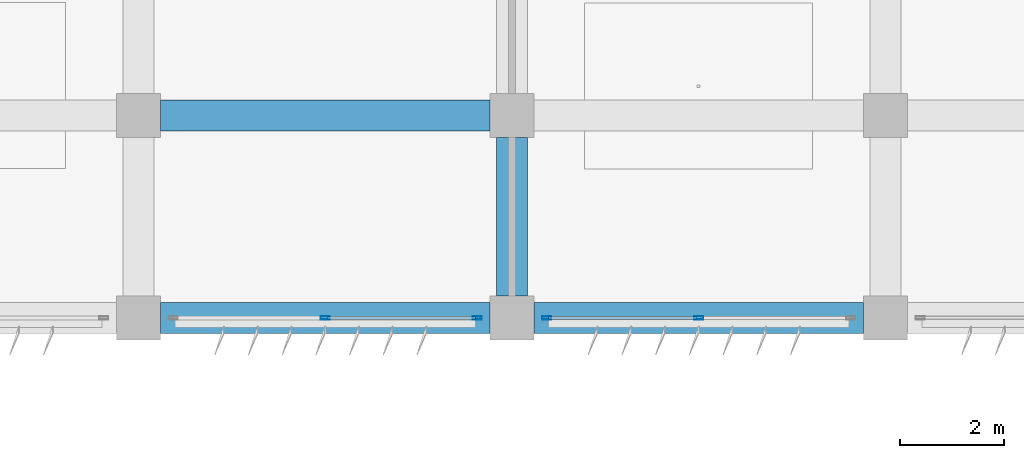
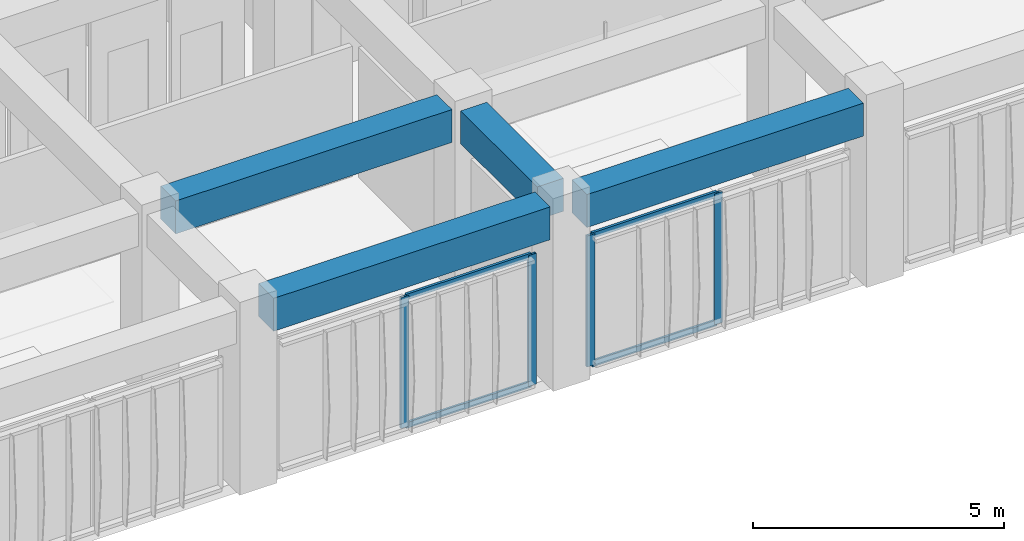
# One storey, part 13 of 55: 8 members, 4 beams, 2 elements without a shape of their own.
"""IFC4 building model written with IfcOpenShell, lengths in metres."""

from ifc_helpers import new_model, si_unit, direction, frame, origin, origin_2d, place, context, subcontext, project, spatial, rectangle, hollow_rectangle, extrude, material, material_profile, profile_set, type_object, element, aggregate, save


model = new_model("IFC4")

# Units and contexts
model_context = context("Model", 3, precision=1e-05, world=origin(), true_north=direction((0.0, 1.0)))
body_context = subcontext(model_context, "Body", "Model", "MODEL_VIEW")
ifc_project = project(units=[si_unit("LENGTHUNIT", "METRE"), si_unit("AREAUNIT", "SQUARE_METRE"), si_unit("VOLUMEUNIT", "CUBIC_METRE"), si_unit("PLANEANGLEUNIT", "RADIAN"), si_unit("MASSUNIT", "GRAM", prefix="KILO")], contexts=[model_context])

# Site, building, storey
site_placement = place(None, origin())
site = spatial("IfcSite", under=ifc_project, at=site_placement, CompositionType="ELEMENT")
building_placement = place(site_placement, origin())
building = spatial("IfcBuilding", under=site, at=building_placement, Name="Kazehaya Institute of Natural Sciences", CompositionType="ELEMENT")
storey_placement = place(building_placement, frame((0.0, 0.0, 15.1201171875)))
storey = spatial("IfcBuildingStorey", under=building, at=storey_placement, Name="L03", CompositionType="ELEMENT", Elevation=15.1201171875)

# Beams
ifc_material_1 = material(Name="Concrete Fc36", Category="concrete")
ifc_material_profile_1 = material_profile(ifc_material_1, rectangle(XDim=0.60009765625, YDim=0.800048828125, at=origin_2d()), Name="RC-600x800")
ifc_profile_set_1 = profile_set([ifc_material_profile_1], Name="Concrete Fc36")
beam_type = type_object("IfcBeamType", Name="BM-G-600x800", PredefinedType="BEAM", material=ifc_profile_set_1)
for number, where, z_axis, x_axis, name in (
    (1, (83.824951171875, 10.10009765625, 4.009765625), (1.0, 0.0, 0.0), (0.0, 1.0, 0.0), "L03 primary X girder BMX-L03-834-101"),
    (2, (91.02490234375, 10.10009765625, 4.009765625), (1.0, 0.0, 0.0), (0.0, 1.0, 0.0), "L03 primary X girder BMX-L03-906-101"),
    (3, (83.824951171875, 14.0, 4.009765625), (1.0, 0.0, 0.0), (0.0, 1.0, 0.0), "L03 primary X girder BMX-L03-834-140"),
):
    element("IfcBeam", number, at=place(storey_placement, frame(where, z_axis=z_axis, x_axis=x_axis)), inside=storey, type_object=beam_type, Name=name, PredefinedType="BEAM", context=body_context, shape_type="SweptSolid", body=[
        extrude(rectangle(XDim=0.60009765625, YDim=0.800048828125, at=origin_2d()), origin(), (0.0, 0.0, 1.0), 6.35009765625),
    ])
beam_placement = place(storey_placement, frame((90.60009765625, 10.52490234375, 4.009765625), z_axis=(0.0, 1.0, 0.0), x_axis=(-1.0, 0.0, 0.0)))
element("IfcBeam", 4, at=beam_placement, inside=storey, type_object=beam_type, Name="L03 primary Y girder BMY-L03-906-101", PredefinedType="BEAM", context=body_context, shape_type="SweptSolid", body=[
    extrude(rectangle(XDim=0.60009765625, YDim=0.800048828125, at=origin_2d()), origin(), (0.0, 0.0, 1.0), 3.050048828125),
])

# Curtain wall, members
ifc_material_2 = material(Name="Aluminium alloy A6063S-T5", Category="aluminium")
curtain_wall_type = type_object("IfcCurtainWallType", Name="CW-SYS-03", PredefinedType="NOTDEFINED", material=ifc_material_2)
curtain_wall_1_placement = place(storey_placement, origin())
curtain_wall_1 = element("IfcCurtainWall", 5, at=curtain_wall_1_placement, inside=storey, type_object=curtain_wall_type, Name="L03 unitised curtain wall CW-L03-060", PredefinedType="NOTDEFINED")
ifc_material_profile_2 = material_profile(ifc_material_2, hollow_rectangle(XDim=0.06005859375, YDim=0.179931640625, WallThickness=0.00390625, at=origin_2d()), Name="ALU-60x180x4")
ifc_profile_set_2 = profile_set([ifc_material_profile_2], Name="Aluminium alloy A6063S-T5")
member_type_1 = type_object("IfcMemberType", Name="CWM-180", PredefinedType="MULLION", material=ifc_profile_set_2)
member_1_placement = place(storey_placement, frame((94.199951171875, 10.10009765625, 0.0), z_axis=(0.0, 0.0, 1.0), x_axis=(0.0, -1.0, 0.0)))
member_1 = element("IfcMember", 6, at=member_1_placement, type_object=member_type_1, Name="CW03 mullion 2", PredefinedType="MULLION", context=body_context, shape_type="SweptSolid", body=[
    extrude(hollow_rectangle(XDim=0.06005859375, YDim=0.179931640625, WallThickness=0.00390625, at=origin_2d()), origin(), (0.0, 0.0, 1.0), 3.179931640625),
])
member_2_placement = place(storey_placement, frame((91.27001953125, 10.10009765625, 0.0), z_axis=(0.0, 0.0, 1.0), x_axis=(0.0, -1.0, 0.0)))
member_2 = element("IfcMember", 7, at=member_2_placement, type_object=member_type_1, Name="CW03 mullion 3", PredefinedType="MULLION", context=body_context, shape_type="SweptSolid", body=[
    extrude(hollow_rectangle(XDim=0.06005859375, YDim=0.179931640625, WallThickness=0.00390625, at=origin_2d()), origin(), (0.0, 0.0, 1.0), 3.179931640625),
])

curtain_wall_2_placement = place(storey_placement, origin())
curtain_wall_2 = element("IfcCurtainWall", 8, at=curtain_wall_2_placement, inside=storey, type_object=curtain_wall_type, Name="L03 unitised curtain wall CW-L03-061", PredefinedType="NOTDEFINED")
member_3_placement = place(storey_placement, frame((89.929931640625, 10.10009765625, 0.0), z_axis=(0.0, 0.0, 1.0), x_axis=(0.0, -1.0, 0.0)))
member_3 = element("IfcMember", 9, at=member_3_placement, type_object=member_type_1, Name="CW03 mullion 1", PredefinedType="MULLION", context=body_context, shape_type="SweptSolid", body=[
    extrude(hollow_rectangle(XDim=0.06005859375, YDim=0.179931640625, WallThickness=0.00390625, at=origin_2d()), origin(), (0.0, 0.0, 1.0), 3.179931640625),
])
member_4_placement = place(storey_placement, frame((87.0, 10.10009765625, 0.0), z_axis=(0.0, 0.0, 1.0), x_axis=(0.0, -1.0, 0.0)))
member_4 = element("IfcMember", 10, at=member_4_placement, type_object=member_type_1, Name="CW03 mullion 2", PredefinedType="MULLION", context=body_context, shape_type="SweptSolid", body=[
    extrude(hollow_rectangle(XDim=0.06005859375, YDim=0.179931640625, WallThickness=0.00390625, at=origin_2d()), origin(), (0.0, 0.0, 1.0), 3.179931640625),
])

# Member
ifc_material_profile_3 = material_profile(ifc_material_2, hollow_rectangle(XDim=0.06005859375, YDim=0.139892578125, WallThickness=0.00341796875, at=origin_2d()), Name="ALU-60x140x3.5")
ifc_profile_set_3 = profile_set([ifc_material_profile_3], Name="Aluminium alloy A6063S-T5")
member_type_2 = type_object("IfcMemberType", Name="CWT-140", PredefinedType="USERDEFINED", material=ifc_profile_set_3)
member_5_placement = place(storey_placement, frame((94.169921875, 10.10009765625, 0.02978515625), z_axis=(-1.0, 0.0, 0.0), x_axis=(0.0, -1.0, 0.0)))
member_5 = element("IfcMember", 11, at=member_5_placement, type_object=member_type_2, Name="CW03 transom 2.1", ObjectType="TRANSOM", PredefinedType="USERDEFINED", context=body_context, shape_type="SweptSolid", body=[
    extrude(hollow_rectangle(XDim=0.06005859375, YDim=0.139892578125, WallThickness=0.00341796875, at=origin_2d()), origin(), (0.0, 0.0, 1.0), 2.869873046875),
])

member_6_placement = place(storey_placement, frame((94.169921875, 10.10009765625, 3.14990234375), z_axis=(-1.0, 0.0, 0.0), x_axis=(0.0, -1.0, 0.0)))
member_6 = element("IfcMember", 12, at=member_6_placement, type_object=member_type_2, Name="CW03 transom 2.2", ObjectType="TRANSOM", PredefinedType="USERDEFINED", context=body_context, shape_type="SweptSolid", body=[
    extrude(hollow_rectangle(XDim=0.06005859375, YDim=0.139892578125, WallThickness=0.00341796875, at=origin_2d()), origin(), (0.0, 0.0, 1.0), 2.869873046875),
])

aggregate(curtain_wall_1, [member_1, member_2, member_5, member_6])

member_7_placement = place(storey_placement, frame((89.89990234375, 10.10009765625, 0.02978515625), z_axis=(-1.0, 0.0, 0.0), x_axis=(0.0, -1.0, 0.0)))
member_7 = element("IfcMember", 13, at=member_7_placement, type_object=member_type_2, Name="CW03 transom 1.1", ObjectType="TRANSOM", PredefinedType="USERDEFINED", context=body_context, shape_type="SweptSolid", body=[
    extrude(hollow_rectangle(XDim=0.06005859375, YDim=0.139892578125, WallThickness=0.00341796875, at=origin_2d()), origin(), (0.0, 0.0, 1.0), 2.869873046875),
])

member_8_placement = place(storey_placement, frame((89.89990234375, 10.10009765625, 3.14990234375), z_axis=(-1.0, 0.0, 0.0), x_axis=(0.0, -1.0, 0.0)))
member_8 = element("IfcMember", 14, at=member_8_placement, type_object=member_type_2, Name="CW03 transom 1.2", ObjectType="TRANSOM", PredefinedType="USERDEFINED", context=body_context, shape_type="SweptSolid", body=[
    extrude(hollow_rectangle(XDim=0.06005859375, YDim=0.139892578125, WallThickness=0.00341796875, at=origin_2d()), origin(), (0.0, 0.0, 1.0), 2.869873046875),
])

aggregate(curtain_wall_2, [member_3, member_4, member_7, member_8])

save(model, "model.ifc")
